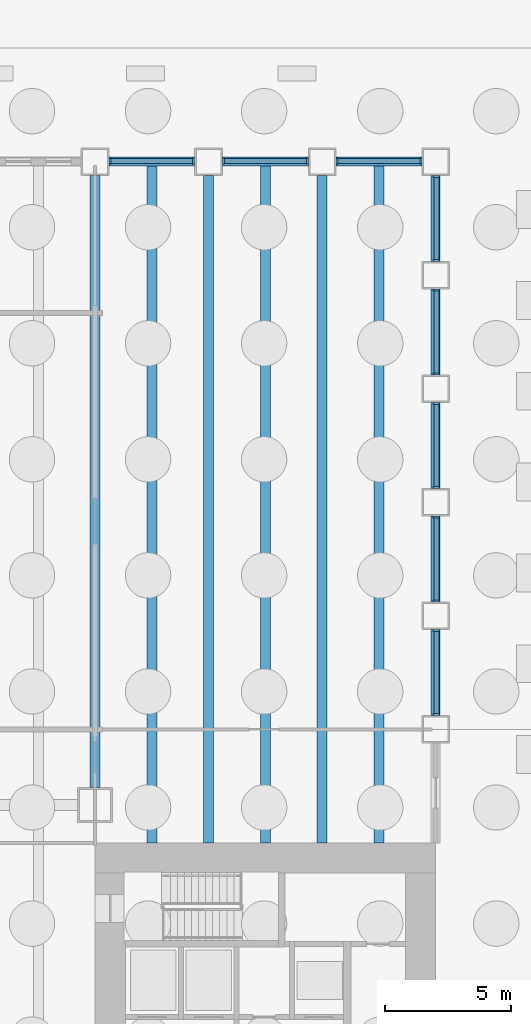
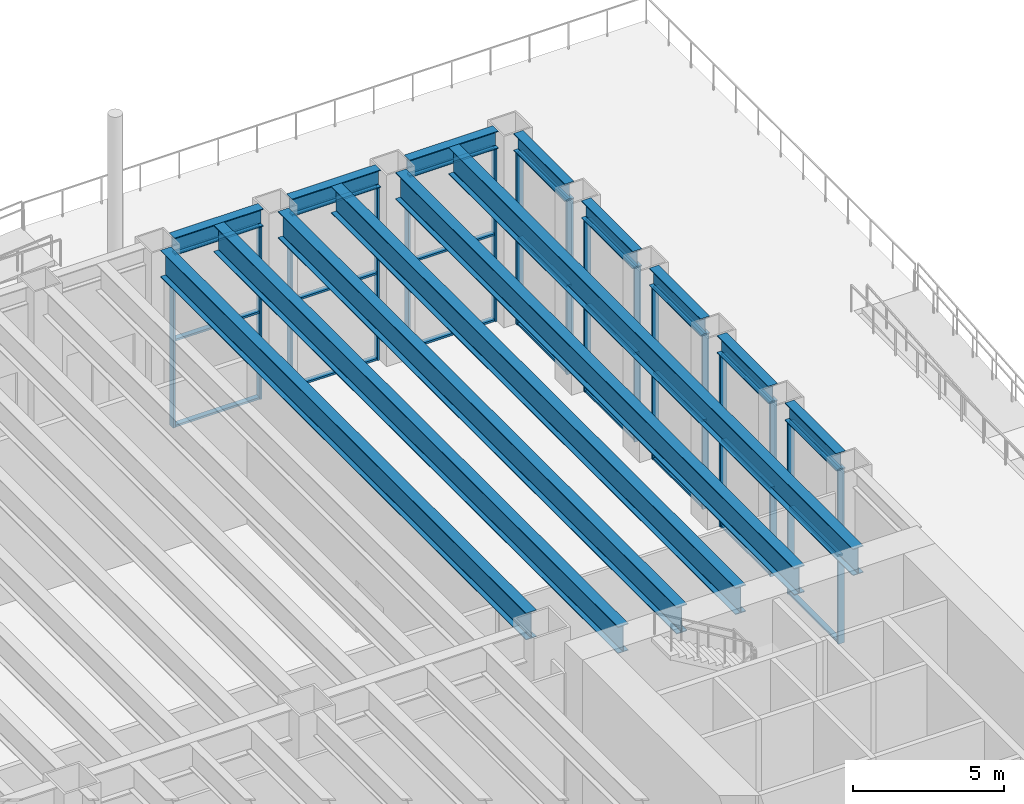
# One storey, part 4 of 26: 40 members, 14 beams, 8 elements without a shape of their own.
"""IFC4 building model written with IfcOpenShell, lengths in metres."""

from ifc_helpers import new_model, si_unit, direction, frame, origin, origin_2d, place, context, subcontext, project, spatial, rectangle, i_section, extrude, material, material_profile, profile_set, type_object, element, aggregate, save


model = new_model("IFC4")

# Units and contexts
model_context = context("Model", 3, precision=1e-05, world=origin(), true_north=direction((0.0, 1.0)))
body_context = subcontext(model_context, "Body", "Model", "MODEL_VIEW")
ifc_project = project(units=[si_unit("LENGTHUNIT", "METRE"), si_unit("AREAUNIT", "SQUARE_METRE"), si_unit("VOLUMEUNIT", "CUBIC_METRE"), si_unit("PLANEANGLEUNIT", "RADIAN"), si_unit("MASSUNIT", "GRAM", prefix="KILO")], contexts=[model_context])

# Site, building, storey
site_placement = place(None, origin())
site = spatial("IfcSite", under=ifc_project, at=site_placement, CompositionType="ELEMENT")
building_placement = place(site_placement, origin())
building = spatial("IfcBuilding", under=site, at=building_placement, Name="Sennacour Bend Tower", CompositionType="ELEMENT")
storey_placement = place(building_placement, origin())
storey = spatial("IfcBuildingStorey", under=building, at=storey_placement, Name="L00", CompositionType="ELEMENT", Elevation=0.0)

# Curtain wall, members
ifc_material_1 = material(Name="Bronze anodised aluminium curtain wall with clear glass", Category="aluminium")
curtain_wall_type = type_object("IfcCurtainWallType", Name="CURTAIN WALL LOBBY", PredefinedType="NOTDEFINED", material=ifc_material_1)
curtain_wall_1_placement = place(storey_placement, origin())
curtain_wall_1 = element("IfcCurtainWall", 1, at=curtain_wall_1_placement, inside=storey, type_object=curtain_wall_type, Name="Lobby glass wall L00", PredefinedType="NOTDEFINED")
ifc_material_2 = material(Name="Aluminium 6063-T6", Category="aluminium")
ifc_material_profile_1 = material_profile(ifc_material_2, rectangle(XDim=0.25, YDim=0.080078125, at=origin_2d()), Name="Aluminium 6063-T6", Category="aluminium")
ifc_profile_set_1 = profile_set([ifc_material_profile_1], Name="Aluminium 6063-T6")
member_type_1 = type_object("IfcMemberType", Name="CW-MULLION-250X80", PredefinedType="MULLION", material=ifc_profile_set_1)
member_1_placement = place(storey_placement, frame((67.52490234375, 27.590087890625, 0.0), z_axis=(0.0, 0.0, 1.0), x_axis=(-1.0, 0.0, 0.0)))
member_1 = element("IfcMember", 2, at=member_1_placement, type_object=member_type_1, Name="GW1 curtain wall mullion 1", PredefinedType="MULLION", context=body_context, shape_type="SweptSolid", body=[
    extrude(rectangle(XDim=0.25, YDim=0.080078125, at=origin_2d()), origin(), (0.0, 0.0, 1.0), 7.035888671875),
])
member_2_placement = place(storey_placement, frame((67.52490234375, 30.909912109375, 0.0), z_axis=(0.0, 0.0, 1.0), x_axis=(-1.0, 0.0, 0.0)))
member_2 = element("IfcMember", 3, at=member_2_placement, type_object=member_type_1, Name="GW1 curtain wall mullion 2", PredefinedType="MULLION", context=body_context, shape_type="SweptSolid", body=[
    extrude(rectangle(XDim=0.25, YDim=0.080078125, at=origin_2d()), origin(), (0.0, 0.0, 1.0), 7.035888671875),
])

curtain_wall_2_placement = place(storey_placement, origin())
curtain_wall_2 = element("IfcCurtainWall", 4, at=curtain_wall_2_placement, inside=storey, type_object=curtain_wall_type, Name="Lobby glass wall L00", PredefinedType="NOTDEFINED")
member_3_placement = place(storey_placement, frame((67.52490234375, 32.090087890625, 0.0), z_axis=(0.0, 0.0, 1.0), x_axis=(-1.0, 0.0, 0.0)))
member_3 = element("IfcMember", 5, at=member_3_placement, type_object=member_type_1, Name="GW1 curtain wall mullion 1", PredefinedType="MULLION", context=body_context, shape_type="SweptSolid", body=[
    extrude(rectangle(XDim=0.25, YDim=0.080078125, at=origin_2d()), origin(), (0.0, 0.0, 1.0), 7.035888671875),
])
member_4_placement = place(storey_placement, frame((67.52490234375, 35.409912109375, 0.0), z_axis=(0.0, 0.0, 1.0), x_axis=(-1.0, 0.0, 0.0)))
member_4 = element("IfcMember", 6, at=member_4_placement, type_object=member_type_1, Name="GW1 curtain wall mullion 2", PredefinedType="MULLION", context=body_context, shape_type="SweptSolid", body=[
    extrude(rectangle(XDim=0.25, YDim=0.080078125, at=origin_2d()), origin(), (0.0, 0.0, 1.0), 7.035888671875),
])

curtain_wall_3_placement = place(storey_placement, origin())
curtain_wall_3 = element("IfcCurtainWall", 7, at=curtain_wall_3_placement, inside=storey, type_object=curtain_wall_type, Name="Lobby glass wall L00", PredefinedType="NOTDEFINED")
member_5_placement = place(storey_placement, frame((67.52490234375, 36.590087890625, 0.0), z_axis=(0.0, 0.0, 1.0), x_axis=(-1.0, 0.0, 0.0)))
member_5 = element("IfcMember", 8, at=member_5_placement, type_object=member_type_1, Name="GW1 curtain wall mullion 1", PredefinedType="MULLION", context=body_context, shape_type="SweptSolid", body=[
    extrude(rectangle(XDim=0.25, YDim=0.080078125, at=origin_2d()), origin(), (0.0, 0.0, 1.0), 7.035888671875),
])
member_6_placement = place(storey_placement, frame((67.52490234375, 39.909912109375, 0.0), z_axis=(0.0, 0.0, 1.0), x_axis=(-1.0, 0.0, 0.0)))
member_6 = element("IfcMember", 9, at=member_6_placement, type_object=member_type_1, Name="GW1 curtain wall mullion 2", PredefinedType="MULLION", context=body_context, shape_type="SweptSolid", body=[
    extrude(rectangle(XDim=0.25, YDim=0.080078125, at=origin_2d()), origin(), (0.0, 0.0, 1.0), 7.035888671875),
])

curtain_wall_4_placement = place(storey_placement, origin())
curtain_wall_4 = element("IfcCurtainWall", 10, at=curtain_wall_4_placement, inside=storey, type_object=curtain_wall_type, Name="Lobby glass wall L00", PredefinedType="NOTDEFINED")
member_7_placement = place(storey_placement, frame((67.52490234375, 41.090087890625, 0.0), z_axis=(0.0, 0.0, 1.0), x_axis=(-1.0, 0.0, 0.0)))
member_7 = element("IfcMember", 11, at=member_7_placement, type_object=member_type_1, Name="GW1 curtain wall mullion 1", PredefinedType="MULLION", context=body_context, shape_type="SweptSolid", body=[
    extrude(rectangle(XDim=0.25, YDim=0.080078125, at=origin_2d()), origin(), (0.0, 0.0, 1.0), 7.035888671875),
])
member_8_placement = place(storey_placement, frame((67.52490234375, 44.409912109375, 0.0), z_axis=(0.0, 0.0, 1.0), x_axis=(-1.0, 0.0, 0.0)))
member_8 = element("IfcMember", 12, at=member_8_placement, type_object=member_type_1, Name="GW1 curtain wall mullion 2", PredefinedType="MULLION", context=body_context, shape_type="SweptSolid", body=[
    extrude(rectangle(XDim=0.25, YDim=0.080078125, at=origin_2d()), origin(), (0.0, 0.0, 1.0), 7.035888671875),
])

curtain_wall_5_placement = place(storey_placement, origin())
curtain_wall_5 = element("IfcCurtainWall", 13, at=curtain_wall_5_placement, inside=storey, type_object=curtain_wall_type, Name="Lobby glass wall L00", PredefinedType="NOTDEFINED")
member_9_placement = place(storey_placement, frame((67.52490234375, 45.590087890625, 0.0), z_axis=(0.0, 0.0, 1.0), x_axis=(-1.0, 0.0, 0.0)))
member_9 = element("IfcMember", 14, at=member_9_placement, type_object=member_type_1, Name="GW1 curtain wall mullion 1", PredefinedType="MULLION", context=body_context, shape_type="SweptSolid", body=[
    extrude(rectangle(XDim=0.25, YDim=0.080078125, at=origin_2d()), origin(), (0.0, 0.0, 1.0), 7.035888671875),
])
member_10_placement = place(storey_placement, frame((67.52490234375, 48.909912109375, 0.0), z_axis=(0.0, 0.0, 1.0), x_axis=(-1.0, 0.0, 0.0)))
member_10 = element("IfcMember", 15, at=member_10_placement, type_object=member_type_1, Name="GW1 curtain wall mullion 2", PredefinedType="MULLION", context=body_context, shape_type="SweptSolid", body=[
    extrude(rectangle(XDim=0.25, YDim=0.080078125, at=origin_2d()), origin(), (0.0, 0.0, 1.0), 7.035888671875),
])

curtain_wall_6_placement = place(storey_placement, origin())
curtain_wall_6 = element("IfcCurtainWall", 16, at=curtain_wall_6_placement, inside=storey, type_object=curtain_wall_type, Name="Lobby glass wall L00", PredefinedType="NOTDEFINED")
member_11_placement = place(storey_placement, frame((66.909912109375, 49.52490234375, 0.0), z_axis=(0.0, 0.0, 1.0), x_axis=(0.0, -1.0, 0.0)))
member_11 = element("IfcMember", 17, at=member_11_placement, type_object=member_type_1, Name="GW1 curtain wall mullion 1", PredefinedType="MULLION", context=body_context, shape_type="SweptSolid", body=[
    extrude(rectangle(XDim=0.25, YDim=0.080078125, at=origin_2d()), origin(), (0.0, 0.0, 1.0), 7.035888671875),
])
member_12_placement = place(storey_placement, frame((63.590087890625, 49.52490234375, 0.0), z_axis=(0.0, 0.0, 1.0), x_axis=(0.0, -1.0, 0.0)))
member_12 = element("IfcMember", 18, at=member_12_placement, type_object=member_type_1, Name="GW1 curtain wall mullion 2", PredefinedType="MULLION", context=body_context, shape_type="SweptSolid", body=[
    extrude(rectangle(XDim=0.25, YDim=0.080078125, at=origin_2d()), origin(), (0.0, 0.0, 1.0), 7.035888671875),
])

curtain_wall_7_placement = place(storey_placement, origin())
curtain_wall_7 = element("IfcCurtainWall", 19, at=curtain_wall_7_placement, inside=storey, type_object=curtain_wall_type, Name="Lobby glass wall L00", PredefinedType="NOTDEFINED")
member_13_placement = place(storey_placement, frame((62.409912109375, 49.52490234375, 0.0), z_axis=(0.0, 0.0, 1.0), x_axis=(0.0, -1.0, 0.0)))
member_13 = element("IfcMember", 20, at=member_13_placement, type_object=member_type_1, Name="GW1 curtain wall mullion 1", PredefinedType="MULLION", context=body_context, shape_type="SweptSolid", body=[
    extrude(rectangle(XDim=0.25, YDim=0.080078125, at=origin_2d()), origin(), (0.0, 0.0, 1.0), 7.035888671875),
])
member_14_placement = place(storey_placement, frame((59.090087890625, 49.52490234375, 0.0), z_axis=(0.0, 0.0, 1.0), x_axis=(0.0, -1.0, 0.0)))
member_14 = element("IfcMember", 21, at=member_14_placement, type_object=member_type_1, Name="GW1 curtain wall mullion 2", PredefinedType="MULLION", context=body_context, shape_type="SweptSolid", body=[
    extrude(rectangle(XDim=0.25, YDim=0.080078125, at=origin_2d()), origin(), (0.0, 0.0, 1.0), 7.035888671875),
])

curtain_wall_8_placement = place(storey_placement, origin())
curtain_wall_8 = element("IfcCurtainWall", 22, at=curtain_wall_8_placement, inside=storey, type_object=curtain_wall_type, Name="Lobby glass wall L00", PredefinedType="NOTDEFINED")
member_15_placement = place(storey_placement, frame((57.909912109375, 49.52490234375, 0.0), z_axis=(0.0, 0.0, 1.0), x_axis=(0.0, -1.0, 0.0)))
member_15 = element("IfcMember", 23, at=member_15_placement, type_object=member_type_1, Name="GW1 curtain wall mullion 1", PredefinedType="MULLION", context=body_context, shape_type="SweptSolid", body=[
    extrude(rectangle(XDim=0.25, YDim=0.080078125, at=origin_2d()), origin(), (0.0, 0.0, 1.0), 7.035888671875),
])
member_16_placement = place(storey_placement, frame((54.590087890625, 49.52490234375, 0.0), z_axis=(0.0, 0.0, 1.0), x_axis=(0.0, -1.0, 0.0)))
member_16 = element("IfcMember", 24, at=member_16_placement, type_object=member_type_1, Name="GW1 curtain wall mullion 2", PredefinedType="MULLION", context=body_context, shape_type="SweptSolid", body=[
    extrude(rectangle(XDim=0.25, YDim=0.080078125, at=origin_2d()), origin(), (0.0, 0.0, 1.0), 7.035888671875),
])

# Member
ifc_material_profile_2 = material_profile(ifc_material_2, rectangle(XDim=0.199951171875, YDim=0.080078125, at=origin_2d()), Name="Aluminium 6063-T6", Category="aluminium")
ifc_profile_set_2 = profile_set([ifc_material_profile_2], Name="Aluminium 6063-T6")
member_type_2 = type_object("IfcMemberType", Name="CW-TRANSOM-200X80", PredefinedType="USERDEFINED", material=ifc_profile_set_2)
member_17_placement = place(storey_placement, frame((67.52490234375, 27.6298828125, 0.0400390625), z_axis=(0.0, 1.0, 0.0), x_axis=(-1.0, 0.0, 0.0)))
member_17 = element("IfcMember", 25, at=member_17_placement, type_object=member_type_2, Name="GW1 curtain wall transom 1.1", ObjectType="TRANSOM", PredefinedType="USERDEFINED", context=body_context, shape_type="SweptSolid", body=[
    extrude(rectangle(XDim=0.199951171875, YDim=0.080078125, at=origin_2d()), origin(), (0.0, 0.0, 1.0), 3.240234375),
])

member_18_placement = place(storey_placement, frame((67.52490234375, 27.6298828125, 3.51806640625), z_axis=(0.0, 1.0, 0.0), x_axis=(-1.0, 0.0, 0.0)))
member_18 = element("IfcMember", 26, at=member_18_placement, type_object=member_type_2, Name="GW1 curtain wall transom 1.2", ObjectType="TRANSOM", PredefinedType="USERDEFINED", context=body_context, shape_type="SweptSolid", body=[
    extrude(rectangle(XDim=0.199951171875, YDim=0.080078125, at=origin_2d()), origin(), (0.0, 0.0, 1.0), 3.240234375),
])

member_19_placement = place(storey_placement, frame((67.52490234375, 27.6298828125, 6.99609375), z_axis=(0.0, 1.0, 0.0), x_axis=(-1.0, 0.0, 0.0)))
member_19 = element("IfcMember", 27, at=member_19_placement, type_object=member_type_2, Name="GW1 curtain wall transom 1.3", ObjectType="TRANSOM", PredefinedType="USERDEFINED", context=body_context, shape_type="SweptSolid", body=[
    extrude(rectangle(XDim=0.199951171875, YDim=0.080078125, at=origin_2d()), origin(), (0.0, 0.0, 1.0), 3.240234375),
])

aggregate(curtain_wall_1, [member_1, member_2, member_17, member_18, member_19])

member_20_placement = place(storey_placement, frame((67.52490234375, 32.1298828125, 0.0400390625), z_axis=(0.0, 1.0, 0.0), x_axis=(-1.0, 0.0, 0.0)))
member_20 = element("IfcMember", 28, at=member_20_placement, type_object=member_type_2, Name="GW1 curtain wall transom 1.1", ObjectType="TRANSOM", PredefinedType="USERDEFINED", context=body_context, shape_type="SweptSolid", body=[
    extrude(rectangle(XDim=0.199951171875, YDim=0.080078125, at=origin_2d()), origin(), (0.0, 0.0, 1.0), 3.240234375),
])

member_21_placement = place(storey_placement, frame((67.52490234375, 32.1298828125, 3.51806640625), z_axis=(0.0, 1.0, 0.0), x_axis=(-1.0, 0.0, 0.0)))
member_21 = element("IfcMember", 29, at=member_21_placement, type_object=member_type_2, Name="GW1 curtain wall transom 1.2", ObjectType="TRANSOM", PredefinedType="USERDEFINED", context=body_context, shape_type="SweptSolid", body=[
    extrude(rectangle(XDim=0.199951171875, YDim=0.080078125, at=origin_2d()), origin(), (0.0, 0.0, 1.0), 3.240234375),
])

member_22_placement = place(storey_placement, frame((67.52490234375, 32.1298828125, 6.99609375), z_axis=(0.0, 1.0, 0.0), x_axis=(-1.0, 0.0, 0.0)))
member_22 = element("IfcMember", 30, at=member_22_placement, type_object=member_type_2, Name="GW1 curtain wall transom 1.3", ObjectType="TRANSOM", PredefinedType="USERDEFINED", context=body_context, shape_type="SweptSolid", body=[
    extrude(rectangle(XDim=0.199951171875, YDim=0.080078125, at=origin_2d()), origin(), (0.0, 0.0, 1.0), 3.240234375),
])

aggregate(curtain_wall_2, [member_3, member_4, member_20, member_21, member_22])

member_23_placement = place(storey_placement, frame((67.52490234375, 36.6298828125, 0.0400390625), z_axis=(0.0, 1.0, 0.0), x_axis=(-1.0, 0.0, 0.0)))
member_23 = element("IfcMember", 31, at=member_23_placement, type_object=member_type_2, Name="GW1 curtain wall transom 1.1", ObjectType="TRANSOM", PredefinedType="USERDEFINED", context=body_context, shape_type="SweptSolid", body=[
    extrude(rectangle(XDim=0.199951171875, YDim=0.080078125, at=origin_2d()), origin(), (0.0, 0.0, 1.0), 3.240234375),
])

member_24_placement = place(storey_placement, frame((67.52490234375, 36.6298828125, 3.51806640625), z_axis=(0.0, 1.0, 0.0), x_axis=(-1.0, 0.0, 0.0)))
member_24 = element("IfcMember", 32, at=member_24_placement, type_object=member_type_2, Name="GW1 curtain wall transom 1.2", ObjectType="TRANSOM", PredefinedType="USERDEFINED", context=body_context, shape_type="SweptSolid", body=[
    extrude(rectangle(XDim=0.199951171875, YDim=0.080078125, at=origin_2d()), origin(), (0.0, 0.0, 1.0), 3.240234375),
])

member_25_placement = place(storey_placement, frame((67.52490234375, 36.6298828125, 6.99609375), z_axis=(0.0, 1.0, 0.0), x_axis=(-1.0, 0.0, 0.0)))
member_25 = element("IfcMember", 33, at=member_25_placement, type_object=member_type_2, Name="GW1 curtain wall transom 1.3", ObjectType="TRANSOM", PredefinedType="USERDEFINED", context=body_context, shape_type="SweptSolid", body=[
    extrude(rectangle(XDim=0.199951171875, YDim=0.080078125, at=origin_2d()), origin(), (0.0, 0.0, 1.0), 3.240234375),
])

aggregate(curtain_wall_3, [member_5, member_6, member_23, member_24, member_25])

member_26_placement = place(storey_placement, frame((67.52490234375, 41.1298828125, 0.0400390625), z_axis=(0.0, 1.0, 0.0), x_axis=(-1.0, 0.0, 0.0)))
member_26 = element("IfcMember", 34, at=member_26_placement, type_object=member_type_2, Name="GW1 curtain wall transom 1.1", ObjectType="TRANSOM", PredefinedType="USERDEFINED", context=body_context, shape_type="SweptSolid", body=[
    extrude(rectangle(XDim=0.199951171875, YDim=0.080078125, at=origin_2d()), origin(), (0.0, 0.0, 1.0), 3.240234375),
])

member_27_placement = place(storey_placement, frame((67.52490234375, 41.1298828125, 3.51806640625), z_axis=(0.0, 1.0, 0.0), x_axis=(-1.0, 0.0, 0.0)))
member_27 = element("IfcMember", 35, at=member_27_placement, type_object=member_type_2, Name="GW1 curtain wall transom 1.2", ObjectType="TRANSOM", PredefinedType="USERDEFINED", context=body_context, shape_type="SweptSolid", body=[
    extrude(rectangle(XDim=0.199951171875, YDim=0.080078125, at=origin_2d()), origin(), (0.0, 0.0, 1.0), 3.240234375),
])

member_28_placement = place(storey_placement, frame((67.52490234375, 41.1298828125, 6.99609375), z_axis=(0.0, 1.0, 0.0), x_axis=(-1.0, 0.0, 0.0)))
member_28 = element("IfcMember", 36, at=member_28_placement, type_object=member_type_2, Name="GW1 curtain wall transom 1.3", ObjectType="TRANSOM", PredefinedType="USERDEFINED", context=body_context, shape_type="SweptSolid", body=[
    extrude(rectangle(XDim=0.199951171875, YDim=0.080078125, at=origin_2d()), origin(), (0.0, 0.0, 1.0), 3.240234375),
])

aggregate(curtain_wall_4, [member_7, member_8, member_26, member_27, member_28])

member_29_placement = place(storey_placement, frame((67.52490234375, 45.6298828125, 0.0400390625), z_axis=(0.0, 1.0, 0.0), x_axis=(-1.0, 0.0, 0.0)))
member_29 = element("IfcMember", 37, at=member_29_placement, type_object=member_type_2, Name="GW1 curtain wall transom 1.1", ObjectType="TRANSOM", PredefinedType="USERDEFINED", context=body_context, shape_type="SweptSolid", body=[
    extrude(rectangle(XDim=0.199951171875, YDim=0.080078125, at=origin_2d()), origin(), (0.0, 0.0, 1.0), 3.240234375),
])

member_30_placement = place(storey_placement, frame((67.52490234375, 45.6298828125, 3.51806640625), z_axis=(0.0, 1.0, 0.0), x_axis=(-1.0, 0.0, 0.0)))
member_30 = element("IfcMember", 38, at=member_30_placement, type_object=member_type_2, Name="GW1 curtain wall transom 1.2", ObjectType="TRANSOM", PredefinedType="USERDEFINED", context=body_context, shape_type="SweptSolid", body=[
    extrude(rectangle(XDim=0.199951171875, YDim=0.080078125, at=origin_2d()), origin(), (0.0, 0.0, 1.0), 3.240234375),
])

member_31_placement = place(storey_placement, frame((67.52490234375, 45.6298828125, 6.99609375), z_axis=(0.0, 1.0, 0.0), x_axis=(-1.0, 0.0, 0.0)))
member_31 = element("IfcMember", 39, at=member_31_placement, type_object=member_type_2, Name="GW1 curtain wall transom 1.3", ObjectType="TRANSOM", PredefinedType="USERDEFINED", context=body_context, shape_type="SweptSolid", body=[
    extrude(rectangle(XDim=0.199951171875, YDim=0.080078125, at=origin_2d()), origin(), (0.0, 0.0, 1.0), 3.240234375),
])

aggregate(curtain_wall_5, [member_9, member_10, member_29, member_30, member_31])

member_32_placement = place(storey_placement, frame((66.8701171875, 49.52490234375, 0.0400390625), z_axis=(-1.0, 0.0, 0.0), x_axis=(0.0, -1.0, 0.0)))
member_32 = element("IfcMember", 40, at=member_32_placement, type_object=member_type_2, Name="GW1 curtain wall transom 1.1", ObjectType="TRANSOM", PredefinedType="USERDEFINED", context=body_context, shape_type="SweptSolid", body=[
    extrude(rectangle(XDim=0.199951171875, YDim=0.080078125, at=origin_2d()), origin(), (0.0, 0.0, 1.0), 3.240234375),
])

member_33_placement = place(storey_placement, frame((66.8701171875, 49.52490234375, 3.51806640625), z_axis=(-1.0, 0.0, 0.0), x_axis=(0.0, -1.0, 0.0)))
member_33 = element("IfcMember", 41, at=member_33_placement, type_object=member_type_2, Name="GW1 curtain wall transom 1.2", ObjectType="TRANSOM", PredefinedType="USERDEFINED", context=body_context, shape_type="SweptSolid", body=[
    extrude(rectangle(XDim=0.199951171875, YDim=0.080078125, at=origin_2d()), origin(), (0.0, 0.0, 1.0), 3.240234375),
])

member_34_placement = place(storey_placement, frame((66.8701171875, 49.52490234375, 6.99609375), z_axis=(-1.0, 0.0, 0.0), x_axis=(0.0, -1.0, 0.0)))
member_34 = element("IfcMember", 42, at=member_34_placement, type_object=member_type_2, Name="GW1 curtain wall transom 1.3", ObjectType="TRANSOM", PredefinedType="USERDEFINED", context=body_context, shape_type="SweptSolid", body=[
    extrude(rectangle(XDim=0.199951171875, YDim=0.080078125, at=origin_2d()), origin(), (0.0, 0.0, 1.0), 3.240234375),
])

aggregate(curtain_wall_6, [member_11, member_12, member_32, member_33, member_34])

member_35_placement = place(storey_placement, frame((62.3701171875, 49.52490234375, 0.0400390625), z_axis=(-1.0, 0.0, 0.0), x_axis=(0.0, -1.0, 0.0)))
member_35 = element("IfcMember", 43, at=member_35_placement, type_object=member_type_2, Name="GW1 curtain wall transom 1.1", ObjectType="TRANSOM", PredefinedType="USERDEFINED", context=body_context, shape_type="SweptSolid", body=[
    extrude(rectangle(XDim=0.199951171875, YDim=0.080078125, at=origin_2d()), origin(), (0.0, 0.0, 1.0), 3.240234375),
])

member_36_placement = place(storey_placement, frame((62.3701171875, 49.52490234375, 3.51806640625), z_axis=(-1.0, 0.0, 0.0), x_axis=(0.0, -1.0, 0.0)))
member_36 = element("IfcMember", 44, at=member_36_placement, type_object=member_type_2, Name="GW1 curtain wall transom 1.2", ObjectType="TRANSOM", PredefinedType="USERDEFINED", context=body_context, shape_type="SweptSolid", body=[
    extrude(rectangle(XDim=0.199951171875, YDim=0.080078125, at=origin_2d()), origin(), (0.0, 0.0, 1.0), 3.240234375),
])

member_37_placement = place(storey_placement, frame((62.3701171875, 49.52490234375, 6.99609375), z_axis=(-1.0, 0.0, 0.0), x_axis=(0.0, -1.0, 0.0)))
member_37 = element("IfcMember", 45, at=member_37_placement, type_object=member_type_2, Name="GW1 curtain wall transom 1.3", ObjectType="TRANSOM", PredefinedType="USERDEFINED", context=body_context, shape_type="SweptSolid", body=[
    extrude(rectangle(XDim=0.199951171875, YDim=0.080078125, at=origin_2d()), origin(), (0.0, 0.0, 1.0), 3.240234375),
])

aggregate(curtain_wall_7, [member_13, member_14, member_35, member_36, member_37])

member_38_placement = place(storey_placement, frame((57.8701171875, 49.52490234375, 0.0400390625), z_axis=(-1.0, 0.0, 0.0), x_axis=(0.0, -1.0, 0.0)))
member_38 = element("IfcMember", 46, at=member_38_placement, type_object=member_type_2, Name="GW1 curtain wall transom 1.1", ObjectType="TRANSOM", PredefinedType="USERDEFINED", context=body_context, shape_type="SweptSolid", body=[
    extrude(rectangle(XDim=0.199951171875, YDim=0.080078125, at=origin_2d()), origin(), (0.0, 0.0, 1.0), 3.240234375),
])

member_39_placement = place(storey_placement, frame((57.8701171875, 49.52490234375, 3.51806640625), z_axis=(-1.0, 0.0, 0.0), x_axis=(0.0, -1.0, 0.0)))
member_39 = element("IfcMember", 47, at=member_39_placement, type_object=member_type_2, Name="GW1 curtain wall transom 1.2", ObjectType="TRANSOM", PredefinedType="USERDEFINED", context=body_context, shape_type="SweptSolid", body=[
    extrude(rectangle(XDim=0.199951171875, YDim=0.080078125, at=origin_2d()), origin(), (0.0, 0.0, 1.0), 3.240234375),
])

member_40_placement = place(storey_placement, frame((57.8701171875, 49.52490234375, 6.99609375), z_axis=(-1.0, 0.0, 0.0), x_axis=(0.0, -1.0, 0.0)))
member_40 = element("IfcMember", 48, at=member_40_placement, type_object=member_type_2, Name="GW1 curtain wall transom 1.3", ObjectType="TRANSOM", PredefinedType="USERDEFINED", context=body_context, shape_type="SweptSolid", body=[
    extrude(rectangle(XDim=0.199951171875, YDim=0.080078125, at=origin_2d()), origin(), (0.0, 0.0, 1.0), 3.240234375),
])

aggregate(curtain_wall_8, [member_15, member_16, member_38, member_39, member_40])

# Beams
ifc_material_3 = material(Name="Steel ASTM A992 Grade 50", Category="steel")
ifc_material_profile_3 = material_profile(ifc_material_3, i_section(OverallWidth=0.40087890625, OverallDepth=1.090087890625, WebThickness=0.01806640625, FlangeThickness=0.031005859375, FilletRadius=0.02001953125, at=origin_2d()), Name="Steel ASTM A992 Grade 50", Category="steel")
ifc_profile_set_3 = profile_set([ifc_material_profile_3], Name="Steel ASTM A992 Grade 50")
beam_type_1 = type_object("IfcBeamType", Name="Notch floor beam W1100X343", PredefinedType="BEAM", material=ifc_profile_set_3)
beam_1_placement = place(storey_placement, frame((54.0, 24.699951171875, 7.205078125), z_axis=(0.0, 1.0, 0.0), x_axis=(-1.0, 0.0, 0.0)))
element("IfcBeam", 49, at=beam_1_placement, inside=storey, type_object=beam_type_1, Name="Floor beam FBM4 L01-048", PredefinedType="BEAM", context=body_context, shape_type="SweptSolid", body=[
    extrude(i_section(OverallWidth=0.40087890625, OverallDepth=1.090087890625, WebThickness=0.01806640625, FlangeThickness=0.031005859375, FilletRadius=0.02001953125, at=origin_2d()), origin(), (0.0, 0.0, 1.0), 24.25),
])
beam_2_placement = place(storey_placement, frame((56.25, 22.5, 7.205078125), z_axis=(0.0, 1.0, 0.0), x_axis=(-1.0, 0.0, 0.0)))
element("IfcBeam", 50, at=beam_2_placement, inside=storey, type_object=beam_type_1, Name="Floor beam FBM4 L01-049", PredefinedType="BEAM", context=body_context, shape_type="SweptSolid", body=[
    extrude(i_section(OverallWidth=0.40087890625, OverallDepth=1.090087890625, WebThickness=0.01806640625, FlangeThickness=0.031005859375, FilletRadius=0.02001953125, at=origin_2d()), origin(), (0.0, 0.0, 1.0), 26.822021484375),
])
beam_3_placement = place(storey_placement, frame((58.5, 22.5, 7.205078125), z_axis=(0.0, 1.0, 0.0), x_axis=(-1.0, 0.0, 0.0)))
element("IfcBeam", 51, at=beam_3_placement, inside=storey, type_object=beam_type_1, Name="Floor beam FBM4 L01-050", PredefinedType="BEAM", context=body_context, shape_type="SweptSolid", body=[
    extrude(i_section(OverallWidth=0.40087890625, OverallDepth=1.090087890625, WebThickness=0.01806640625, FlangeThickness=0.031005859375, FilletRadius=0.02001953125, at=origin_2d()), origin(), (0.0, 0.0, 1.0), 26.449951171875),
])
beam_4_placement = place(storey_placement, frame((60.75, 22.5, 7.205078125), z_axis=(0.0, 1.0, 0.0), x_axis=(-1.0, 0.0, 0.0)))
element("IfcBeam", 52, at=beam_4_placement, inside=storey, type_object=beam_type_1, Name="Floor beam FBM4 L01-051", PredefinedType="BEAM", context=body_context, shape_type="SweptSolid", body=[
    extrude(i_section(OverallWidth=0.40087890625, OverallDepth=1.090087890625, WebThickness=0.01806640625, FlangeThickness=0.031005859375, FilletRadius=0.02001953125, at=origin_2d()), origin(), (0.0, 0.0, 1.0), 26.822021484375),
])
beam_5_placement = place(storey_placement, frame((63.0, 22.5, 7.205078125), z_axis=(0.0, 1.0, 0.0), x_axis=(-1.0, 0.0, 0.0)))
element("IfcBeam", 53, at=beam_5_placement, inside=storey, type_object=beam_type_1, Name="Floor beam FBM4 L01-052", PredefinedType="BEAM", context=body_context, shape_type="SweptSolid", body=[
    extrude(i_section(OverallWidth=0.40087890625, OverallDepth=1.090087890625, WebThickness=0.01806640625, FlangeThickness=0.031005859375, FilletRadius=0.02001953125, at=origin_2d()), origin(), (0.0, 0.0, 1.0), 26.449951171875),
])
beam_6_placement = place(storey_placement, frame((65.25, 22.5, 7.205078125), z_axis=(0.0, 1.0, 0.0), x_axis=(-1.0, 0.0, 0.0)))
element("IfcBeam", 54, at=beam_6_placement, inside=storey, type_object=beam_type_1, Name="Floor beam FBM4 L01-053", PredefinedType="BEAM", context=body_context, shape_type="SweptSolid", body=[
    extrude(i_section(OverallWidth=0.40087890625, OverallDepth=1.090087890625, WebThickness=0.01806640625, FlangeThickness=0.031005859375, FilletRadius=0.02001953125, at=origin_2d()), origin(), (0.0, 0.0, 1.0), 26.822021484375),
])
ifc_material_profile_4 = material_profile(ifc_material_3, i_section(OverallWidth=0.35595703125, OverallDepth=0.714111328125, WebThickness=0.01904296875, FlangeThickness=0.033935546875, FilletRadius=0.02001953125, at=origin_2d()), Name="Steel ASTM A992 Grade 50", Category="steel")
ifc_profile_set_4 = profile_set([ifc_material_profile_4], Name="Steel ASTM A992 Grade 50")
beam_type_2 = type_object("IfcBeamType", Name="Spandrel beam W690X289", PredefinedType="SPANDREL", material=ifc_profile_set_4)
for number, where, z_axis, x_axis, name in (
    (55, (67.5, 27.550048828125, 7.39306640625), (0.0, 1.0, 0.0), (-1.0, 0.0, 0.0), "Spandrel beam SP1 L01-001"),
    (56, (67.5, 32.050048828125, 7.39306640625), (0.0, 1.0, 0.0), (-1.0, 0.0, 0.0), "Spandrel beam SP1 L01-002"),
    (57, (67.5, 36.550048828125, 7.39306640625), (0.0, 1.0, 0.0), (-1.0, 0.0, 0.0), "Spandrel beam SP1 L01-003"),
    (58, (67.5, 41.050048828125, 7.39306640625), (0.0, 1.0, 0.0), (-1.0, 0.0, 0.0), "Spandrel beam SP1 L01-004"),
    (59, (67.5, 45.550048828125, 7.39306640625), (0.0, 1.0, 0.0), (-1.0, 0.0, 0.0), "Spandrel beam SP1 L01-005"),
    (60, (66.949951171875, 49.5, 7.39306640625), (-1.0, 0.0, 0.0), (0.0, -1.0, 0.0), "Spandrel beam SP1 L01-006"),
    (61, (62.449951171875, 49.5, 7.39306640625), (-1.0, 0.0, 0.0), (0.0, -1.0, 0.0), "Spandrel beam SP1 L01-007"),
    (62, (57.949951171875, 49.5, 7.39306640625), (-1.0, 0.0, 0.0), (0.0, -1.0, 0.0), "Spandrel beam SP1 L01-008"),
):
    element("IfcBeam", number, at=place(storey_placement, frame(where, z_axis=z_axis, x_axis=x_axis)), inside=storey, type_object=beam_type_2, Name=name, PredefinedType="SPANDREL", context=body_context, shape_type="SweptSolid", body=[
        extrude(i_section(OverallWidth=0.35595703125, OverallDepth=0.714111328125, WebThickness=0.01904296875, FlangeThickness=0.033935546875, FilletRadius=0.02001953125, at=origin_2d()), origin(), (0.0, 0.0, 1.0), 3.39990234375),
    ])

save(model, "model.ifc")
